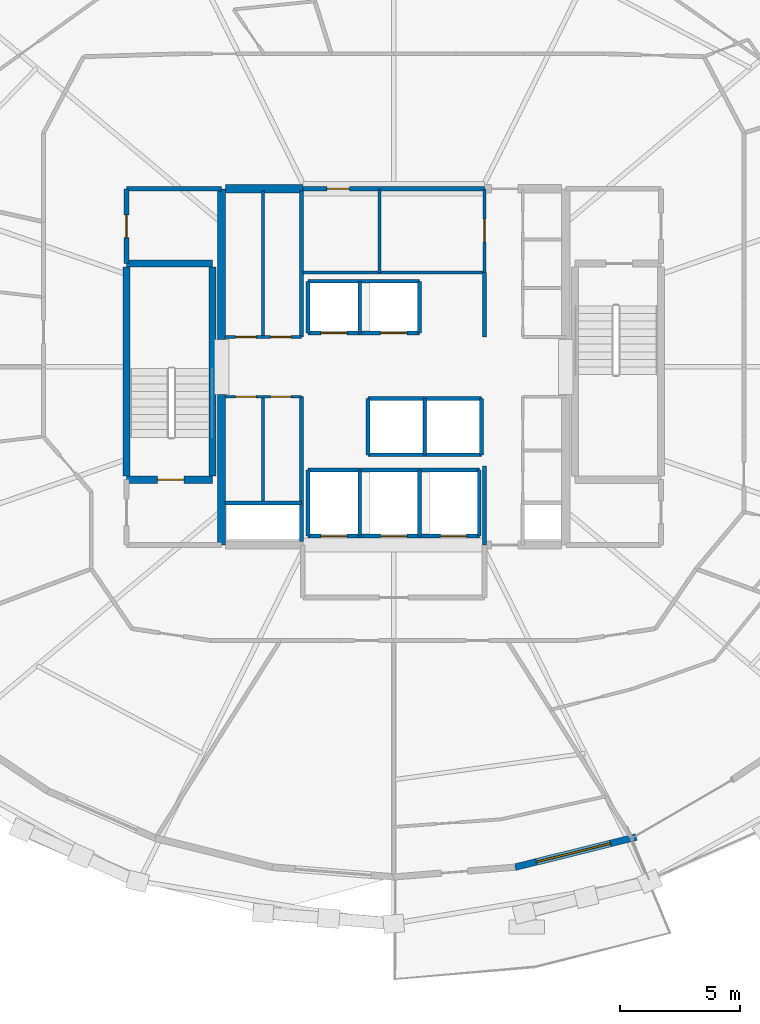
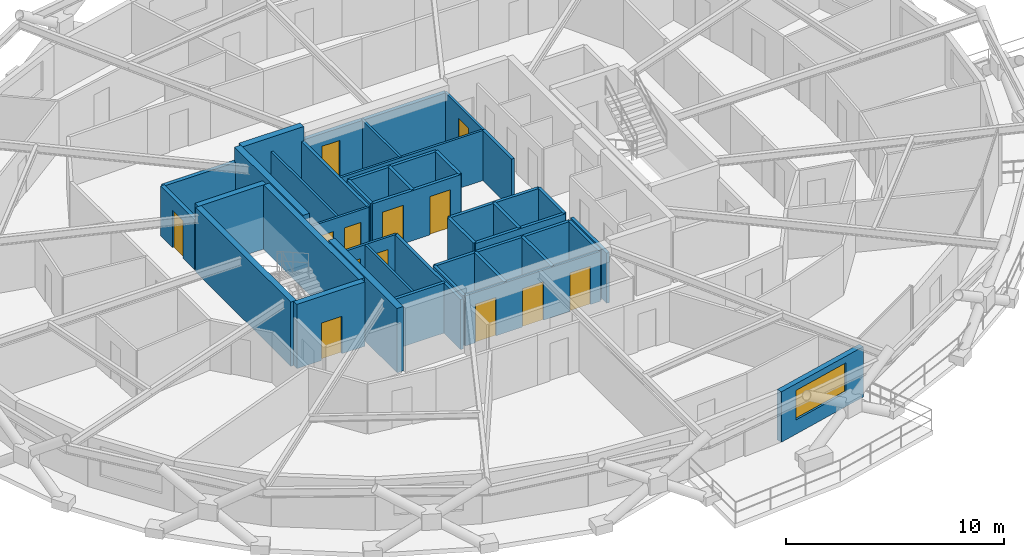
# One storey, part 11 of 16: 39 walls, 13 doors, 1 window, 14 openings.
"""IFC4 building model written with IfcOpenShell, lengths in metres."""

from ifc_helpers import new_model, si_unit, direction, frame, frame_2d, origin, place, context, subcontext, project, spatial, rectangle, extrude, material, layer, layer_set, type_object, element, fill, save


model = new_model("IFC4")

# Units and contexts
model_context = context("Model", 3, precision=1e-05, world=origin(), true_north=direction((0.0, 1.0)))
body_context = subcontext(model_context, "Body", "Model", "MODEL_VIEW")
ifc_project = project(units=[si_unit("LENGTHUNIT", "METRE"), si_unit("AREAUNIT", "SQUARE_METRE"), si_unit("VOLUMEUNIT", "CUBIC_METRE"), si_unit("PLANEANGLEUNIT", "RADIAN"), si_unit("MASSUNIT", "GRAM", prefix="KILO")], contexts=[model_context])

# Site, building, storey
site_placement = place(None, origin())
site = spatial("IfcSite", under=ifc_project, at=site_placement, CompositionType="ELEMENT")
building_placement = place(site_placement, origin())
building = spatial("IfcBuilding", under=site, at=building_placement, Name="Veldorina Hangang Commons", CompositionType="ELEMENT")
storey_placement = place(building_placement, frame((0.0, 0.0, 174.800048828125)))
storey = spatial("IfcBuildingStorey", under=building, at=storey_placement, Name="L45", CompositionType="ELEMENT", Elevation=174.800048828125)

# Walls
ifc_material_1 = material(Name="Concrete C60/75", Category="concrete")
ifc_layer_1 = layer(ifc_material_1, 0.340087890625)
ifc_layer_set_1 = layer_set([ifc_layer_1], Name="Concrete C60/75")
wall_type_1 = type_object("IfcWallType", Name="CW-RC340-C60", PredefinedType="SHEAR", material=ifc_layer_set_1)
for number, where, z_axis, x_axis, name in (
    (1, (24.800048828125, 16.550048828125, 0.0), (0.0, 0.0, 1.0), (0.0, 1.0, 0.0), "L45 W south core shear wall"),
    (2, (24.800048828125, 25.14990234375, 0.0), (0.0, 0.0, 1.0), (0.0, 1.0, 0.0), "L45 W north core shear wall"),
):
    element("IfcWall", number, at=place(storey_placement, frame(where, z_axis=z_axis, x_axis=x_axis)), inside=storey, type_object=wall_type_1, Name=name, PredefinedType="SHEAR", context=body_context, shape_type="SweptSolid", body=[
        extrude(rectangle(XDim=6.300048828125, YDim=0.340087890625, at=frame_2d((3.14990234375, 0.0))), origin(), (0.0, 0.0, 1.0), 3.599853515625),
    ])
wall_1_placement = place(storey_placement, frame((24.969970703125, 31.449951171875, 0.0), z_axis=(0.0, 0.0, 1.0), x_axis=(1.0, 0.0, 0.0)))
element("IfcWall", 3, at=wall_1_placement, inside=storey, type_object=wall_type_1, Name="L45 north-west core shear wall", PredefinedType="SHEAR", context=body_context, shape_type="SweptSolid", body=[
    extrude(rectangle(XDim=3.22998046875, YDim=0.340087890625, at=frame_2d((1.614990234375, 0.0))), origin(), (0.0, 0.0, 1.0), 3.599853515625),
])

# Wall, opening, window
ifc_material_2 = material(Name="Stone Roman Travertine", Category="masonry")
ifc_layer_2 = layer(ifc_material_2, 0.280029296875)
ifc_layer_set_2 = layer_set([ifc_layer_2], Name="Stone Roman Travertine")
wall_type_2 = type_object("IfcWallType", Name="EW-TRAV-280", PredefinedType="STANDARD", material=ifc_layer_set_2)
wall_2_placement = place(storey_placement, frame((37.080078125, 3.070068359375, 0.0), z_axis=(0.0, 0.0, 1.0), x_axis=(0.970466017287, 0.241237868691, 0.0)))
wall_2 = element("IfcWall", 4, at=wall_2_placement, inside=storey, type_object=wall_type_2, Name="L45 travertine facade wall 25", PredefinedType="STANDARD", context=body_context, shape_type="SweptSolid", body=[
    extrude(rectangle(XDim=5.22412109375, YDim=0.280029296875, at=frame_2d((2.612060546875, 0.0))), origin(), (0.0, 0.0, 1.0), 2.820068359375),
])
opening_1_placement = place(wall_2_placement, frame((0.916748046875, 0.0, 0.800048828125)))
opening_1 = element("IfcOpeningElement", 5, at=opening_1_placement, cuts=wall_2, Name="Opening W-01", PredefinedType="OPENING", context=body_context, shape_type="SweptSolid", body=[
    extrude(rectangle(XDim=3.199951171875, YDim=1.64990234375, at=frame_2d((1.60009765625, 0.824951171875))), frame((0.0, 0.14990234375, 0.0), z_axis=(0.0, -1.0, 0.0), x_axis=(1.0, 0.0, 0.0)), (0.0, 0.0, 1.0), 0.300048828125),
])
ifc_material_3 = material(Name="Glass Low-E Triple IGU", Category="glass")
window_type = type_object("IfcWindowType", Name="WIN-TWR-3200", PartitioningType="SINGLE_PANEL", PredefinedType="WINDOW", material=ifc_material_3)
window_placement = place(opening_1_placement, origin())
window = element("IfcWindow", 6, at=window_placement, inside=storey, type_object=window_type, Name="L45 facade window 25", OverallHeight=1.64990234375, OverallWidth=3.199951171875, PartitioningType="SINGLE_PANEL", PredefinedType="WINDOW", context=body_context, shape_type="SweptSolid", body=[
    extrude(rectangle(XDim=3.199951171875, YDim=1.64990234375, at=frame_2d((1.60009765625, 0.824951171875))), frame((0.0, 0.030029296875, 0.0), z_axis=(0.0, -1.0, 0.0), x_axis=(1.0, 0.0, 0.0)), (0.0, 0.0, 1.0), 0.06005859375),
])
fill(opening_1, window)

# Walls
ifc_material_4 = material(Name="Concrete C50/60", Category="concrete")
ifc_layer_3 = layer(ifc_material_4, 0.300048828125)
ifc_layer_set_3 = layer_set([ifc_layer_3], Name="Concrete C50/60")
wall_type_3 = type_object("IfcWallType", Name="SW-STAIR-300", PredefinedType="SHEAR", material=ifc_layer_set_3)
for number, where, z_axis, x_axis, name in (
    (7, (20.820068359375, 19.429931640625, 0.0), (0.0, 0.0, 1.0), (0.0, 1.0, 0.0), "L45 ST1 outer stair shear wall"),
    (8, (24.419921875, 19.429931640625, 0.0), (0.0, 0.0, 1.0), (0.0, 1.0, 0.0), "L45 ST1 inner stair shear wall"),
):
    element("IfcWall", number, at=place(storey_placement, frame(where, z_axis=z_axis, x_axis=x_axis)), inside=storey, type_object=wall_type_3, Name=name, PredefinedType="SHEAR", context=body_context, shape_type="SweptSolid", body=[
        extrude(rectangle(XDim=8.739990234375, YDim=0.300048828125, at=frame_2d((4.3701171875, 0.0))), origin(), (0.0, 0.0, 1.0), 3.599853515625),
    ])

# Wall, opening, door
wall_3_placement = place(storey_placement, frame((20.820068359375, 19.280029296875, 0.0), z_axis=(0.0, 0.0, 1.0), x_axis=(1.0, 0.0, 0.0)))
wall_3 = element("IfcWall", 9, at=wall_3_placement, inside=storey, type_object=wall_type_3, Name="L45 ST1 south stair shear wall", PredefinedType="SHEAR", context=body_context, shape_type="SweptSolid", body=[
    extrude(rectangle(XDim=3.599853515625, YDim=0.300048828125, at=frame_2d((1.7998046875, 0.0))), origin(), (0.0, 0.0, 1.0), 3.599853515625),
])
opening_2_placement = place(wall_3_placement, frame((1.300048828125, 0.0, 0.0)))
opening_2 = element("IfcOpeningElement", 10, at=opening_2_placement, cuts=wall_3, Name="Opening D-08", PredefinedType="OPENING", context=body_context, shape_type="SweptSolid", body=[
    extrude(rectangle(XDim=1.10009765625, YDim=2.10009765625, at=frame_2d((0.550048828125, 1.050048828125))), frame((0.0, 0.16015625, 0.0), z_axis=(0.0, -1.0, 0.0), x_axis=(1.0, 0.0, 0.0)), (0.0, 0.0, 1.0), 0.320068359375),
])
ifc_material_5 = material(Name="Steel Fire-Rated Smoke Seal", Category="steel")
door_type_1 = type_object("IfcDoorType", Name="DR-FIRE-1100", OperationType="SINGLE_SWING_RIGHT", PredefinedType="DOOR", material=ifc_material_5)
door_1_placement = place(opening_2_placement, origin())
door_1 = element("IfcDoor", 11, at=door_1_placement, inside=storey, type_object=door_type_1, Name="L45 Special Escape Stair ST-1 door", OperationType="SINGLE_SWING_LEFT", OverallHeight=2.10009765625, OverallWidth=1.10009765625, PredefinedType="DOOR", context=body_context, shape_type="SweptSolid", body=[
    extrude(rectangle(XDim=1.10009765625, YDim=2.10009765625, at=frame_2d((0.550048828125, 1.050048828125))), frame((0.0, 0.02490234375, 0.0), z_axis=(0.0, -1.0, 0.0), x_axis=(1.0, 0.0, 0.0)), (0.0, 0.0, 1.0), 0.050048828125),
])
fill(opening_2, door_1)

# Walls
wall_4_placement = place(storey_placement, frame((20.820068359375, 28.320068359375, 0.0), z_axis=(0.0, 0.0, 1.0), x_axis=(1.0, 0.0, 0.0)))
element("IfcWall", 12, at=wall_4_placement, inside=storey, type_object=wall_type_3, Name="L45 ST1 north stair shear wall", PredefinedType="SHEAR", context=body_context, shape_type="SweptSolid", body=[
    extrude(rectangle(XDim=3.599853515625, YDim=0.300048828125, at=frame_2d((1.7998046875, 0.0))), origin(), (0.0, 0.0, 1.0), 3.599853515625),
])
ifc_material_6 = material(Name="Gypsum Fire-Rated Twin Stud Wall", Category="gypsum")
ifc_layer_4 = layer(ifc_material_6, 0.159912109375)
ifc_layer_set_4 = layer_set([ifc_layer_4], Name="Gypsum Fire-Rated Twin Stud Wall")
wall_type_4 = type_object("IfcWallType", Name="WL-FIRE-160", PredefinedType="SOLIDWALL", material=ifc_layer_set_4)
wall_5_placement = place(storey_placement, frame((35.800048828125, 16.550048828125, 0.0), z_axis=(0.0, 0.0, 1.0), x_axis=(0.0, 1.0, 0.0)))
element("IfcWall", 13, at=wall_5_placement, inside=storey, type_object=wall_type_4, Name="L45 Lift passage SW wall 009", PredefinedType="SOLIDWALL", context=body_context, shape_type="SweptSolid", body=[
    extrude(rectangle(XDim=3.300048828125, YDim=0.159912109375, at=frame_2d((1.64990234375, 0.0))), origin(), (0.0, 0.0, 1.0), 2.800048828125),
])
wall_6_placement = place(storey_placement, frame((35.800048828125, 25.25, 0.0), z_axis=(0.0, 0.0, 1.0), x_axis=(0.0, 1.0, 0.0)))
element("IfcWall", 14, at=wall_6_placement, inside=storey, type_object=wall_type_4, Name="L45 Lift passage NW lower wall 011", PredefinedType="SOLIDWALL", context=body_context, shape_type="SweptSolid", body=[
    extrude(rectangle(XDim=2.699951171875, YDim=0.159912109375, at=frame_2d((1.35009765625, 0.0))), origin(), (0.0, 0.0, 1.0), 2.800048828125),
])

# Wall, openings, doors
wall_7_placement = place(storey_placement, frame((28.419921875, 25.419921875, 0.0), z_axis=(0.0, 0.0, 1.0), x_axis=(1.0, 0.0, 0.0)))
wall_7 = element("IfcWall", 15, at=wall_7_placement, inside=storey, type_object=wall_type_4, Name="L45 Mid-high front shaft wall 015", PredefinedType="SOLIDWALL", context=body_context, shape_type="SweptSolid", body=[
    extrude(rectangle(XDim=4.66015625, YDim=0.159912109375, at=frame_2d((2.330078125, 0.0))), origin(), (0.0, 0.0, 1.0), 2.800048828125),
])
opening_3_placement = place(wall_7_placement, frame((0.530029296875, 0.0, 0.0)))
opening_3 = element("IfcOpeningElement", 16, at=opening_3_placement, cuts=wall_7, Name="Opening LD-01", PredefinedType="OPENING", context=body_context, shape_type="SweptSolid", body=[
    extrude(rectangle(XDim=1.10009765625, YDim=2.14990234375, at=frame_2d((0.550048828125, 1.074951171875))), frame((0.0, 0.08984375, 0.0), z_axis=(0.0, -1.0, 0.0), x_axis=(1.0, 0.0, 0.0)), (0.0, 0.0, 1.0), 0.179931640625),
])
opening_4_placement = place(wall_7_placement, frame((3.030029296875, 0.0, 0.0)))
opening_4 = element("IfcOpeningElement", 17, at=opening_4_placement, cuts=wall_7, Name="Opening LD-01", PredefinedType="OPENING", context=body_context, shape_type="SweptSolid", body=[
    extrude(rectangle(XDim=1.10009765625, YDim=2.14990234375, at=frame_2d((0.550048828125, 1.074951171875))), frame((0.0, 0.08984375, 0.0), z_axis=(0.0, -1.0, 0.0), x_axis=(1.0, 0.0, 0.0)), (0.0, 0.0, 1.0), 0.179931640625),
])
ifc_material_7 = material(Name="Stainless Steel Brushed Lift Door", Category="steel")
door_type_2 = type_object("IfcDoorType", Name="DR-LIFT-1100", OperationType="SLIDING_TO_LEFT", PredefinedType="DOOR", material=ifc_material_7)
door_2_placement = place(opening_3_placement, origin())
door_2 = element("IfcDoor", 18, at=door_2_placement, inside=storey, type_object=door_type_2, Name="L45 Lift PL-M1 landing door 006", OperationType="SLIDING_TO_RIGHT", OverallHeight=2.14990234375, OverallWidth=1.10009765625, PredefinedType="DOOR", context=body_context, shape_type="SweptSolid", body=[
    extrude(rectangle(XDim=1.10009765625, YDim=2.14990234375, at=frame_2d((0.550048828125, 1.074951171875))), frame((0.0, 0.02490234375, 0.0), z_axis=(0.0, -1.0, 0.0), x_axis=(1.0, 0.0, 0.0)), (0.0, 0.0, 1.0), 0.050048828125),
])
fill(opening_3, door_2)
door_3_placement = place(opening_4_placement, origin())
door_3 = element("IfcDoor", 19, at=door_3_placement, inside=storey, type_object=door_type_2, Name="L45 Lift PL-M2 landing door 007", OperationType="SLIDING_TO_RIGHT", OverallHeight=2.14990234375, OverallWidth=1.10009765625, PredefinedType="DOOR", context=body_context, shape_type="SweptSolid", body=[
    extrude(rectangle(XDim=1.10009765625, YDim=2.14990234375, at=frame_2d((0.550048828125, 1.074951171875))), frame((0.0, 0.02490234375, 0.0), z_axis=(0.0, -1.0, 0.0), x_axis=(1.0, 0.0, 0.0)), (0.0, 0.0, 1.0), 0.050048828125),
])
fill(opening_4, door_3)

# Walls
wall_8_placement = place(storey_placement, frame((28.419921875, 27.580078125, 0.0), z_axis=(0.0, 0.0, 1.0), x_axis=(1.0, 0.0, 0.0)))
element("IfcWall", 20, at=wall_8_placement, inside=storey, type_object=wall_type_4, Name="L45 Mid-high rear shaft wall 016", PredefinedType="SOLIDWALL", context=body_context, shape_type="SweptSolid", body=[
    extrude(rectangle(XDim=4.66015625, YDim=0.159912109375, at=frame_2d((2.330078125, 0.0))), origin(), (0.0, 0.0, 1.0), 2.800048828125),
])
for number, where, z_axis, x_axis, name in (
    (21, (28.419921875, 25.419921875, 0.0), (0.0, 0.0, 1.0), (0.0, 1.0, 0.0), "L45 PL-M1 west shaft wall 017"),
    (22, (30.580078125, 25.419921875, 0.0), (0.0, 0.0, 1.0), (0.0, 1.0, 0.0), "L45 PL-M1 east shaft wall 018"),
    (23, (33.080078125, 25.419921875, 0.0), (0.0, 0.0, 1.0), (0.0, 1.0, 0.0), "L45 PL-M2 east shaft wall 019"),
):
    element("IfcWall", number, at=place(storey_placement, frame(where, z_axis=z_axis, x_axis=x_axis)), inside=storey, type_object=wall_type_4, Name=name, PredefinedType="SOLIDWALL", context=body_context, shape_type="SweptSolid", body=[
        extrude(rectangle(XDim=2.16015625, YDim=0.159912109375, at=frame_2d((1.080078125, 0.0))), origin(), (0.0, 0.0, 1.0), 2.800048828125),
    ])
for number, where, z_axis, x_axis, name in (
    (24, (30.919921875, 22.679931640625, 0.0), (0.0, 0.0, 1.0), (1.0, 0.0, 0.0), "L45 Shuttle-high front shaft wall 020"),
    (25, (30.919921875, 20.320068359375, 0.0), (0.0, 0.0, 1.0), (1.0, 0.0, 0.0), "L45 Shuttle-high rear shaft wall 021"),
):
    element("IfcWall", number, at=place(storey_placement, frame(where, z_axis=z_axis, x_axis=x_axis)), inside=storey, type_object=wall_type_4, Name=name, PredefinedType="SOLIDWALL", context=body_context, shape_type="SweptSolid", body=[
        extrude(rectangle(XDim=4.760009765625, YDim=0.159912109375, at=frame_2d((2.3798828125, 0.0))), origin(), (0.0, 0.0, 1.0), 2.800048828125),
    ])
for number, where, z_axis, x_axis, name in (
    (26, (30.919921875, 20.320068359375, 0.0), (0.0, 0.0, 1.0), (0.0, 1.0, 0.0), "L45 SL-1 west shaft wall 022"),
    (27, (33.300048828125, 20.320068359375, 0.0), (0.0, 0.0, 1.0), (0.0, 1.0, 0.0), "L45 SL-1 east shaft wall 023"),
    (28, (35.679931640625, 20.320068359375, 0.0), (0.0, 0.0, 1.0), (0.0, 1.0, 0.0), "L45 SL-2 east shaft wall 024"),
):
    element("IfcWall", number, at=place(storey_placement, frame(where, z_axis=z_axis, x_axis=x_axis)), inside=storey, type_object=wall_type_4, Name=name, PredefinedType="SOLIDWALL", context=body_context, shape_type="SweptSolid", body=[
        extrude(rectangle(XDim=2.35986328125, YDim=0.159912109375, at=frame_2d((1.179931640625, 0.0))), origin(), (0.0, 0.0, 1.0), 2.800048828125),
    ])

# Wall, openings, doors
wall_9_placement = place(storey_placement, frame((28.419921875, 16.919921875, 0.0), z_axis=(0.0, 0.0, 1.0), x_axis=(1.0, 0.0, 0.0)))
wall_9 = element("IfcWall", 29, at=wall_9_placement, inside=storey, type_object=wall_type_4, Name="L45 Emergency front shaft wall 025", PredefinedType="SOLIDWALL", context=body_context, shape_type="SweptSolid", body=[
    extrude(rectangle(XDim=7.16015625, YDim=0.159912109375, at=frame_2d((3.580078125, 0.0))), origin(), (0.0, 0.0, 1.0), 2.800048828125),
])
opening_5_placement = place(wall_9_placement, frame((0.530029296875, 0.0, 0.0)))
opening_5 = element("IfcOpeningElement", 30, at=opening_5_placement, cuts=wall_9, Name="Opening LD-03", PredefinedType="OPENING", context=body_context, shape_type="SweptSolid", body=[
    extrude(rectangle(XDim=1.10009765625, YDim=2.14990234375, at=frame_2d((0.550048828125, 1.074951171875))), frame((0.0, 0.08984375, 0.0), z_axis=(0.0, -1.0, 0.0), x_axis=(1.0, 0.0, 0.0)), (0.0, 0.0, 1.0), 0.179931640625),
])
opening_6_placement = place(wall_9_placement, frame((3.030029296875, 0.0, 0.0)))
opening_6 = element("IfcOpeningElement", 31, at=opening_6_placement, cuts=wall_9, Name="Opening LD-03", PredefinedType="OPENING", context=body_context, shape_type="SweptSolid", body=[
    extrude(rectangle(XDim=1.10009765625, YDim=2.14990234375, at=frame_2d((0.550048828125, 1.074951171875))), frame((0.0, 0.08984375, 0.0), z_axis=(0.0, -1.0, 0.0), x_axis=(1.0, 0.0, 0.0)), (0.0, 0.0, 1.0), 0.179931640625),
])
opening_7_placement = place(wall_9_placement, frame((5.530029296875, 0.0, 0.0)))
opening_7 = element("IfcOpeningElement", 32, at=opening_7_placement, cuts=wall_9, Name="Opening LD-03", PredefinedType="OPENING", context=body_context, shape_type="SweptSolid", body=[
    extrude(rectangle(XDim=1.10009765625, YDim=2.14990234375, at=frame_2d((0.550048828125, 1.074951171875))), frame((0.0, 0.08984375, 0.0), z_axis=(0.0, -1.0, 0.0), x_axis=(1.0, 0.0, 0.0)), (0.0, 0.0, 1.0), 0.179931640625),
])
ifc_material_8 = material(Name="Stainless Steel Firefighting Lift Door", Category="steel")
door_type_3 = type_object("IfcDoorType", Name="DR-LIFT-FF1100", OperationType="SLIDING_TO_RIGHT", PredefinedType="DOOR", material=ifc_material_8)
door_4_placement = place(opening_5_placement, origin())
door_4 = element("IfcDoor", 33, at=door_4_placement, inside=storey, type_object=door_type_3, Name="L45 Emergency lift FFL-1 landing door 008", OperationType="SLIDING_TO_RIGHT", OverallHeight=2.14990234375, OverallWidth=1.10009765625, PredefinedType="DOOR", context=body_context, shape_type="SweptSolid", body=[
    extrude(rectangle(XDim=1.10009765625, YDim=2.14990234375, at=frame_2d((0.550048828125, 1.074951171875))), frame((0.0, 0.02490234375, 0.0), z_axis=(0.0, -1.0, 0.0), x_axis=(1.0, 0.0, 0.0)), (0.0, 0.0, 1.0), 0.050048828125),
])
fill(opening_5, door_4)
door_5_placement = place(opening_6_placement, origin())
door_5 = element("IfcDoor", 34, at=door_5_placement, inside=storey, type_object=door_type_3, Name="L45 Emergency lift FFL-2 landing door 009", OperationType="SLIDING_TO_RIGHT", OverallHeight=2.14990234375, OverallWidth=1.10009765625, PredefinedType="DOOR", context=body_context, shape_type="SweptSolid", body=[
    extrude(rectangle(XDim=1.10009765625, YDim=2.14990234375, at=frame_2d((0.550048828125, 1.074951171875))), frame((0.0, 0.02490234375, 0.0), z_axis=(0.0, -1.0, 0.0), x_axis=(1.0, 0.0, 0.0)), (0.0, 0.0, 1.0), 0.050048828125),
])
fill(opening_6, door_5)
door_6_placement = place(opening_7_placement, origin())
door_6 = element("IfcDoor", 35, at=door_6_placement, inside=storey, type_object=door_type_3, Name="L45 Emergency lift EVL-1 landing door 010", OperationType="SLIDING_TO_RIGHT", OverallHeight=2.14990234375, OverallWidth=1.10009765625, PredefinedType="DOOR", context=body_context, shape_type="SweptSolid", body=[
    extrude(rectangle(XDim=1.10009765625, YDim=2.14990234375, at=frame_2d((0.550048828125, 1.074951171875))), frame((0.0, 0.02490234375, 0.0), z_axis=(0.0, -1.0, 0.0), x_axis=(1.0, 0.0, 0.0)), (0.0, 0.0, 1.0), 0.050048828125),
])
fill(opening_7, door_6)

# Walls
wall_10_placement = place(storey_placement, frame((28.419921875, 19.679931640625, 0.0), z_axis=(0.0, 0.0, 1.0), x_axis=(1.0, 0.0, 0.0)))
element("IfcWall", 36, at=wall_10_placement, inside=storey, type_object=wall_type_4, Name="L45 Emergency rear shaft wall 026", PredefinedType="SOLIDWALL", context=body_context, shape_type="SweptSolid", body=[
    extrude(rectangle(XDim=7.16015625, YDim=0.159912109375, at=frame_2d((3.580078125, 0.0))), origin(), (0.0, 0.0, 1.0), 2.800048828125),
])
for number, where, z_axis, x_axis, name in (
    (37, (28.419921875, 16.919921875, 0.0), (0.0, 0.0, 1.0), (0.0, 1.0, 0.0), "L45 FFL-1 west shaft wall 027"),
    (38, (30.580078125, 16.919921875, 0.0), (0.0, 0.0, 1.0), (0.0, 1.0, 0.0), "L45 FFL-1 east shaft wall 028"),
    (39, (33.080078125, 16.919921875, 0.0), (0.0, 0.0, 1.0), (0.0, 1.0, 0.0), "L45 FFL-2 east shaft wall 029"),
    (40, (35.580078125, 16.919921875, 0.0), (0.0, 0.0, 1.0), (0.0, 1.0, 0.0), "L45 EVL-1 east shaft wall 030"),
):
    element("IfcWall", number, at=place(storey_placement, frame(where, z_axis=z_axis, x_axis=x_axis)), inside=storey, type_object=wall_type_4, Name=name, PredefinedType="SOLIDWALL", context=body_context, shape_type="SweptSolid", body=[
        extrude(rectangle(XDim=2.760009765625, YDim=0.159912109375, at=frame_2d((1.3798828125, 0.0))), origin(), (0.0, 0.0, 1.0), 2.800048828125),
    ])
wall_11_placement = place(storey_placement, frame((24.949951171875, 18.300048828125, 0.0), z_axis=(0.0, 0.0, 1.0), x_axis=(1.0, 0.0, 0.0)))
element("IfcWall", 41, at=wall_11_placement, inside=storey, type_object=wall_type_4, Name="L45 Electrical riser wall 035", PredefinedType="SOLIDWALL", context=body_context, shape_type="SweptSolid", body=[
    extrude(rectangle(XDim=3.199951171875, YDim=0.159912109375, at=frame_2d((1.60009765625, 0.0))), origin(), (0.0, 0.0, 1.0), 2.800048828125),
])
wall_12_placement = place(storey_placement, frame((28.14990234375, 16.699951171875, 0.0), z_axis=(0.0, 0.0, 1.0), x_axis=(0.0, 1.0, 0.0)))
element("IfcWall", 42, at=wall_12_placement, inside=storey, type_object=wall_type_4, Name="L45 SW core inner wall 036", PredefinedType="SOLIDWALL", context=body_context, shape_type="SweptSolid", body=[
    extrude(rectangle(XDim=6.050048828125, YDim=0.159912109375, at=frame_2d((3.02490234375, 0.0))), origin(), (0.0, 0.0, 1.0), 2.800048828125),
])
wall_13_placement = place(storey_placement, frame((28.14990234375, 25.25, 0.0), z_axis=(0.0, 0.0, 1.0), x_axis=(0.0, 1.0, 0.0)))
element("IfcWall", 43, at=wall_13_placement, inside=storey, type_object=wall_type_4, Name="L45 NW core inner wall 038", PredefinedType="SOLIDWALL", context=body_context, shape_type="SweptSolid", body=[
    extrude(rectangle(XDim=6.10009765625, YDim=0.159912109375, at=frame_2d((3.050048828125, 0.0))), origin(), (0.0, 0.0, 1.0), 2.800048828125),
])

# Wall, opening, door
ifc_material_9 = material(Name="Concrete Blockwork Fire Wall C30/37", Category="masonry")
ifc_layer_5 = layer(ifc_material_9, 0.199951171875)
ifc_layer_set_5 = layer_set([ifc_layer_5], Name="Concrete Blockwork Fire Wall C30/37")
wall_type_5 = type_object("IfcWallType", Name="WL-FIRE-200", PredefinedType="SOLIDWALL", material=ifc_layer_set_5)
wall_14_placement = place(storey_placement, frame((20.820068359375, 28.320068359375, 0.0), z_axis=(0.0, 0.0, 1.0), x_axis=(0.0, 1.0, 0.0)))
wall_14 = element("IfcWall", 44, at=wall_14_placement, inside=storey, type_object=wall_type_5, Name="L45 NW core room outer wall 005", PredefinedType="SOLIDWALL", context=body_context, shape_type="SweptSolid", body=[
    extrude(rectangle(XDim=3.1298828125, YDim=0.199951171875, at=frame_2d((1.56494140625, 0.0))), origin(), (0.0, 0.0, 1.0), 2.800048828125),
])
opening_8_placement = place(wall_14_placement, frame((1.090087890625, 0.0, 0.0)))
opening_8 = element("IfcOpeningElement", 45, at=opening_8_placement, cuts=wall_14, Name="Opening D-04", PredefinedType="OPENING", context=body_context, shape_type="SweptSolid", body=[
    extrude(rectangle(XDim=0.949951171875, YDim=2.10009765625, at=frame_2d((0.47509765625, 1.050048828125))), frame((0.0, 0.10986328125, 0.0), z_axis=(0.0, -1.0, 0.0), x_axis=(1.0, 0.0, 0.0)), (0.0, 0.0, 1.0), 0.219970703125),
])
ifc_material_10 = material(Name="Timber Accessible Flush Leaf", Category="wood")
door_type_4 = type_object("IfcDoorType", Name="DR-ACC-950", OperationType="SINGLE_SWING_LEFT", PredefinedType="DOOR", material=ifc_material_10)
door_7_placement = place(opening_8_placement, origin())
door_7 = element("IfcDoor", 46, at=door_7_placement, inside=storey, type_object=door_type_4, Name="L45 NW core WC door 003", OperationType="SINGLE_SWING_LEFT", OverallHeight=2.10009765625, OverallWidth=0.949951171875, PredefinedType="DOOR", context=body_context, shape_type="SweptSolid", body=[
    extrude(rectangle(XDim=0.949951171875, YDim=2.10009765625, at=frame_2d((0.47509765625, 1.050048828125))), frame((0.0, 0.02490234375, 0.0), z_axis=(0.0, -1.0, 0.0), x_axis=(1.0, 0.0, 0.0)), (0.0, 0.0, 1.0), 0.050048828125),
])
fill(opening_8, door_7)

# Wall
wall_15_placement = place(storey_placement, frame((20.820068359375, 31.449951171875, 0.0), z_axis=(0.0, 0.0, 1.0), x_axis=(1.0, 0.0, 0.0)))
element("IfcWall", 47, at=wall_15_placement, inside=storey, type_object=wall_type_5, Name="L45 NW core room north wall 006", PredefinedType="SOLIDWALL", context=body_context, shape_type="SweptSolid", body=[
    extrude(rectangle(XDim=3.97998046875, YDim=0.199951171875, at=frame_2d((1.989990234375, 0.0))), origin(), (0.0, 0.0, 1.0), 2.800048828125),
])

# Wall, opening, door
wall_16_placement = place(storey_placement, frame((28.199951171875, 31.449951171875, 0.0), z_axis=(0.0, 0.0, 1.0), x_axis=(1.0, 0.0, 0.0)))
wall_16 = element("IfcWall", 48, at=wall_16_placement, inside=storey, type_object=wall_type_5, Name="L45 Merged north core wall 031", PredefinedType="SOLIDWALL", context=body_context, shape_type="SweptSolid", body=[
    extrude(rectangle(XDim=7.60009765625, YDim=0.199951171875, at=frame_2d((3.800048828125, 0.0))), origin(), (0.0, 0.0, 1.0), 2.800048828125),
])
opening_9_placement = place(wall_16_placement, frame((1.0, 0.0, 0.0)))
opening_9 = element("IfcOpeningElement", 49, at=opening_9_placement, cuts=wall_16, Name="Opening D-02", PredefinedType="OPENING", context=body_context, shape_type="SweptSolid", body=[
    extrude(rectangle(XDim=0.949951171875, YDim=2.10009765625, at=frame_2d((0.47509765625, 1.050048828125))), frame((0.0, 0.10986328125, 0.0), z_axis=(0.0, -1.0, 0.0), x_axis=(1.0, 0.0, 0.0)), (0.0, 0.0, 1.0), 0.219970703125),
])
ifc_material_11 = material(Name="Timber Solid Core Acoustic", Category="wood")
door_type_5 = type_object("IfcDoorType", Name="DR-INT-950", OperationType="SINGLE_SWING_LEFT", PredefinedType="DOOR", material=ifc_material_11)
door_8_placement = place(opening_9_placement, origin())
door_8 = element("IfcDoor", 50, at=door_8_placement, inside=storey, type_object=door_type_5, Name="L45 Core study alcove door 011", OperationType="SINGLE_SWING_LEFT", OverallHeight=2.10009765625, OverallWidth=0.949951171875, PredefinedType="DOOR", context=body_context, shape_type="SweptSolid", body=[
    extrude(rectangle(XDim=0.949951171875, YDim=2.10009765625, at=frame_2d((0.47509765625, 1.050048828125))), frame((0.0, 0.02490234375, 0.0), z_axis=(0.0, -1.0, 0.0), x_axis=(1.0, 0.0, 0.0)), (0.0, 0.0, 1.0), 0.050048828125),
])
fill(opening_9, door_8)

# Wall
ifc_material_12 = material(Name="Gypsum Acoustic Stud Partition", Category="gypsum")
ifc_layer_6 = layer(ifc_material_12, 0.1201171875)
ifc_layer_set_6 = layer_set([ifc_layer_6], Name="Gypsum Acoustic Stud Partition")
wall_type_6 = type_object("IfcWallType", Name="WL-PART-120", PredefinedType="PARTITIONING", material=ifc_layer_set_6)
wall_17_placement = place(storey_placement, frame((28.199951171875, 27.949951171875, 0.0), z_axis=(0.0, 0.0, 1.0), x_axis=(1.0, 0.0, 0.0)))
element("IfcWall", 51, at=wall_17_placement, inside=storey, type_object=wall_type_6, Name="L45 Merged north south wall 032", PredefinedType="PARTITIONING", context=body_context, shape_type="SweptSolid", body=[
    extrude(rectangle(XDim=7.60009765625, YDim=0.1201171875, at=frame_2d((3.800048828125, 0.0))), origin(), (0.0, 0.0, 1.0), 2.800048828125),
])

# Wall, opening, door
wall_18_placement = place(storey_placement, frame((35.800048828125, 27.949951171875, 0.0), z_axis=(0.0, 0.0, 1.0), x_axis=(0.0, 1.0, 0.0)))
wall_18 = element("IfcWall", 52, at=wall_18_placement, inside=storey, type_object=wall_type_6, Name="L45 Merged north east wall 033", PredefinedType="PARTITIONING", context=body_context, shape_type="SweptSolid", body=[
    extrude(rectangle(XDim=3.5, YDim=0.1201171875, at=frame_2d((1.75, 0.0))), origin(), (0.0, 0.0, 1.0), 2.800048828125),
])
opening_10_placement = place(wall_18_placement, frame((1.27490234375, 0.0, 0.0)))
opening_10 = element("IfcOpeningElement", 53, at=opening_10_placement, cuts=wall_18, Name="Opening D-02", PredefinedType="OPENING", context=body_context, shape_type="SweptSolid", body=[
    extrude(rectangle(XDim=0.949951171875, YDim=2.10009765625, at=frame_2d((0.47509765625, 1.050048828125))), frame((0.0, 0.070068359375, 0.0), z_axis=(0.0, -1.0, 0.0), x_axis=(1.0, 0.0, 0.0)), (0.0, 0.0, 1.0), 0.14013671875),
])
door_9_placement = place(opening_10_placement, origin())
door_9 = element("IfcDoor", 54, at=door_9_placement, inside=storey, type_object=door_type_5, Name="L45 Core linen store door 012", OperationType="SINGLE_SWING_RIGHT", OverallHeight=2.10009765625, OverallWidth=0.949951171875, PredefinedType="DOOR", context=body_context, shape_type="SweptSolid", body=[
    extrude(rectangle(XDim=0.949951171875, YDim=2.10009765625, at=frame_2d((0.47509765625, 1.050048828125))), frame((0.0, 0.02490234375, 0.0), z_axis=(0.0, -1.0, 0.0), x_axis=(1.0, 0.0, 0.0)), (0.0, 0.0, 1.0), 0.050048828125),
])
fill(opening_10, door_9)

# Wall
wall_19_placement = place(storey_placement, frame((31.39990234375, 27.949951171875, 0.0), z_axis=(0.0, 0.0, 1.0), x_axis=(0.0, 1.0, 0.0)))
element("IfcWall", 55, at=wall_19_placement, inside=storey, type_object=wall_type_6, Name="L45 Merged north split wall 034", PredefinedType="PARTITIONING", context=body_context, shape_type="SweptSolid", body=[
    extrude(rectangle(XDim=3.5, YDim=0.1201171875, at=frame_2d((1.75, 0.0))), origin(), (0.0, 0.0, 1.0), 2.800048828125),
])

# Wall, openings, doors
wall_20_placement = place(storey_placement, frame((24.949951171875, 25.25, 0.0), z_axis=(0.0, 0.0, 1.0), x_axis=(1.0, 0.0, 0.0)))
wall_20 = element("IfcWall", 56, at=wall_20_placement, inside=storey, type_object=wall_type_6, Name="L45 NW service south wall 039", PredefinedType="PARTITIONING", context=body_context, shape_type="SweptSolid", body=[
    extrude(rectangle(XDim=3.199951171875, YDim=0.1201171875, at=frame_2d((1.60009765625, 0.0))), origin(), (0.0, 0.0, 1.0), 2.800048828125),
])
opening_11_placement = place(wall_20_placement, frame((0.43994140625, 0.0, 0.0)))
opening_11 = element("IfcOpeningElement", 57, at=opening_11_placement, cuts=wall_20, Name="Opening D-01", PredefinedType="OPENING", context=body_context, shape_type="SweptSolid", body=[
    extrude(rectangle(XDim=0.860107421875, YDim=2.10009765625, at=frame_2d((0.43017578125, 1.050048828125))), frame((0.0, 0.070068359375, 0.0), z_axis=(0.0, -1.0, 0.0), x_axis=(1.0, 0.0, 0.0)), (0.0, 0.0, 1.0), 0.14013671875),
])
opening_12_placement = place(wall_20_placement, frame((1.89990234375, 0.0, 0.0)))
opening_12 = element("IfcOpeningElement", 58, at=opening_12_placement, cuts=wall_20, Name="Opening D-01", PredefinedType="OPENING", context=body_context, shape_type="SweptSolid", body=[
    extrude(rectangle(XDim=0.860107421875, YDim=2.10009765625, at=frame_2d((0.43017578125, 1.050048828125))), frame((0.0, 0.070068359375, 0.0), z_axis=(0.0, -1.0, 0.0), x_axis=(1.0, 0.0, 0.0)), (0.0, 0.0, 1.0), 0.14013671875),
])
ifc_material_13 = material(Name="Timber Moisture-Resistant Core", Category="wood")
door_type_6 = type_object("IfcDoorType", Name="DR-WET-860", OperationType="SINGLE_SWING_LEFT", PredefinedType="DOOR", material=ifc_material_13)
door_10_placement = place(opening_11_placement, origin())
door_10 = element("IfcDoor", 59, at=door_10_placement, inside=storey, type_object=door_type_6, Name="L45 Linen west door 013", OperationType="SINGLE_SWING_LEFT", OverallHeight=2.10009765625, OverallWidth=0.860107421875, PredefinedType="DOOR", context=body_context, shape_type="SweptSolid", body=[
    extrude(rectangle(XDim=0.860107421875, YDim=2.10009765625, at=frame_2d((0.43017578125, 1.050048828125))), frame((0.0, 0.02490234375, 0.0), z_axis=(0.0, -1.0, 0.0), x_axis=(1.0, 0.0, 0.0)), (0.0, 0.0, 1.0), 0.050048828125),
])
fill(opening_11, door_10)
door_11_placement = place(opening_12_placement, origin())
door_11 = element("IfcDoor", 60, at=door_11_placement, inside=storey, type_object=door_type_6, Name="L45 Data closet door 014", OperationType="SINGLE_SWING_RIGHT", OverallHeight=2.10009765625, OverallWidth=0.860107421875, PredefinedType="DOOR", context=body_context, shape_type="SweptSolid", body=[
    extrude(rectangle(XDim=0.860107421875, YDim=2.10009765625, at=frame_2d((0.43017578125, 1.050048828125))), frame((0.0, 0.02490234375, 0.0), z_axis=(0.0, -1.0, 0.0), x_axis=(1.0, 0.0, 0.0)), (0.0, 0.0, 1.0), 0.050048828125),
])
fill(opening_12, door_11)

wall_21_placement = place(storey_placement, frame((24.949951171875, 22.75, 0.0), z_axis=(0.0, 0.0, 1.0), x_axis=(1.0, 0.0, 0.0)))
wall_21 = element("IfcWall", 61, at=wall_21_placement, inside=storey, type_object=wall_type_6, Name="L45 SW service north wall 040", PredefinedType="PARTITIONING", context=body_context, shape_type="SweptSolid", body=[
    extrude(rectangle(XDim=3.199951171875, YDim=0.1201171875, at=frame_2d((1.60009765625, 0.0))), origin(), (0.0, 0.0, 1.0), 2.800048828125),
])
opening_13_placement = place(wall_21_placement, frame((0.43994140625, 0.0, 0.0)))
opening_13 = element("IfcOpeningElement", 62, at=opening_13_placement, cuts=wall_21, Name="Opening D-01", PredefinedType="OPENING", context=body_context, shape_type="SweptSolid", body=[
    extrude(rectangle(XDim=0.860107421875, YDim=2.10009765625, at=frame_2d((0.43017578125, 1.050048828125))), frame((0.0, 0.070068359375, 0.0), z_axis=(0.0, -1.0, 0.0), x_axis=(1.0, 0.0, 0.0)), (0.0, 0.0, 1.0), 0.14013671875),
])
opening_14_placement = place(wall_21_placement, frame((1.89990234375, 0.0, 0.0)))
opening_14 = element("IfcOpeningElement", 63, at=opening_14_placement, cuts=wall_21, Name="Opening D-01", PredefinedType="OPENING", context=body_context, shape_type="SweptSolid", body=[
    extrude(rectangle(XDim=0.860107421875, YDim=2.10009765625, at=frame_2d((0.43017578125, 1.050048828125))), frame((0.0, 0.070068359375, 0.0), z_axis=(0.0, -1.0, 0.0), x_axis=(1.0, 0.0, 0.0)), (0.0, 0.0, 1.0), 0.14013671875),
])
door_12_placement = place(opening_13_placement, origin())
door_12 = element("IfcDoor", 64, at=door_12_placement, inside=storey, type_object=door_type_6, Name="L45 Cleaners door 015", OperationType="SINGLE_SWING_LEFT", OverallHeight=2.10009765625, OverallWidth=0.860107421875, PredefinedType="DOOR", context=body_context, shape_type="SweptSolid", body=[
    extrude(rectangle(XDim=0.860107421875, YDim=2.10009765625, at=frame_2d((0.43017578125, 1.050048828125))), frame((0.0, 0.02490234375, 0.0), z_axis=(0.0, -1.0, 0.0), x_axis=(1.0, 0.0, 0.0)), (0.0, 0.0, 1.0), 0.050048828125),
])
fill(opening_13, door_12)
door_13_placement = place(opening_14_placement, origin())
door_13 = element("IfcDoor", 65, at=door_13_placement, inside=storey, type_object=door_type_6, Name="L45 Metering door 016", OperationType="SINGLE_SWING_RIGHT", OverallHeight=2.10009765625, OverallWidth=0.860107421875, PredefinedType="DOOR", context=body_context, shape_type="SweptSolid", body=[
    extrude(rectangle(XDim=0.860107421875, YDim=2.10009765625, at=frame_2d((0.43017578125, 1.050048828125))), frame((0.0, 0.02490234375, 0.0), z_axis=(0.0, -1.0, 0.0), x_axis=(1.0, 0.0, 0.0)), (0.0, 0.0, 1.0), 0.050048828125),
])
fill(opening_14, door_13)

# Walls
wall_22_placement = place(storey_placement, frame((26.530029296875, 25.25, 0.0), z_axis=(0.0, 0.0, 1.0), x_axis=(0.0, 1.0, 0.0)))
element("IfcWall", 66, at=wall_22_placement, inside=storey, type_object=wall_type_6, Name="L45 NW vertical split 045", PredefinedType="PARTITIONING", context=body_context, shape_type="SweptSolid", body=[
    extrude(rectangle(XDim=6.10009765625, YDim=0.1201171875, at=frame_2d((3.050048828125, 0.0))), origin(), (0.0, 0.0, 1.0), 2.800048828125),
])
wall_23_placement = place(storey_placement, frame((26.530029296875, 18.300048828125, 0.0), z_axis=(0.0, 0.0, 1.0), x_axis=(0.0, 1.0, 0.0)))
element("IfcWall", 67, at=wall_23_placement, inside=storey, type_object=wall_type_6, Name="L45 SW vertical split 046", PredefinedType="PARTITIONING", context=body_context, shape_type="SweptSolid", body=[
    extrude(rectangle(XDim=4.449951171875, YDim=0.1201171875, at=frame_2d((2.22509765625, 0.0))), origin(), (0.0, 0.0, 1.0), 2.800048828125),
])

save(model, "model.ifc")
